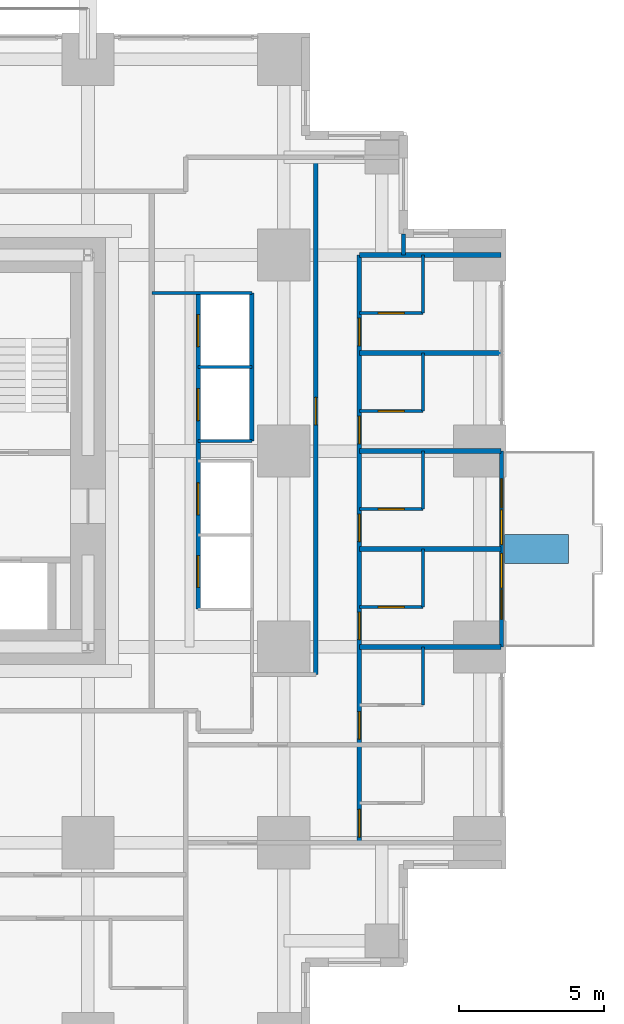
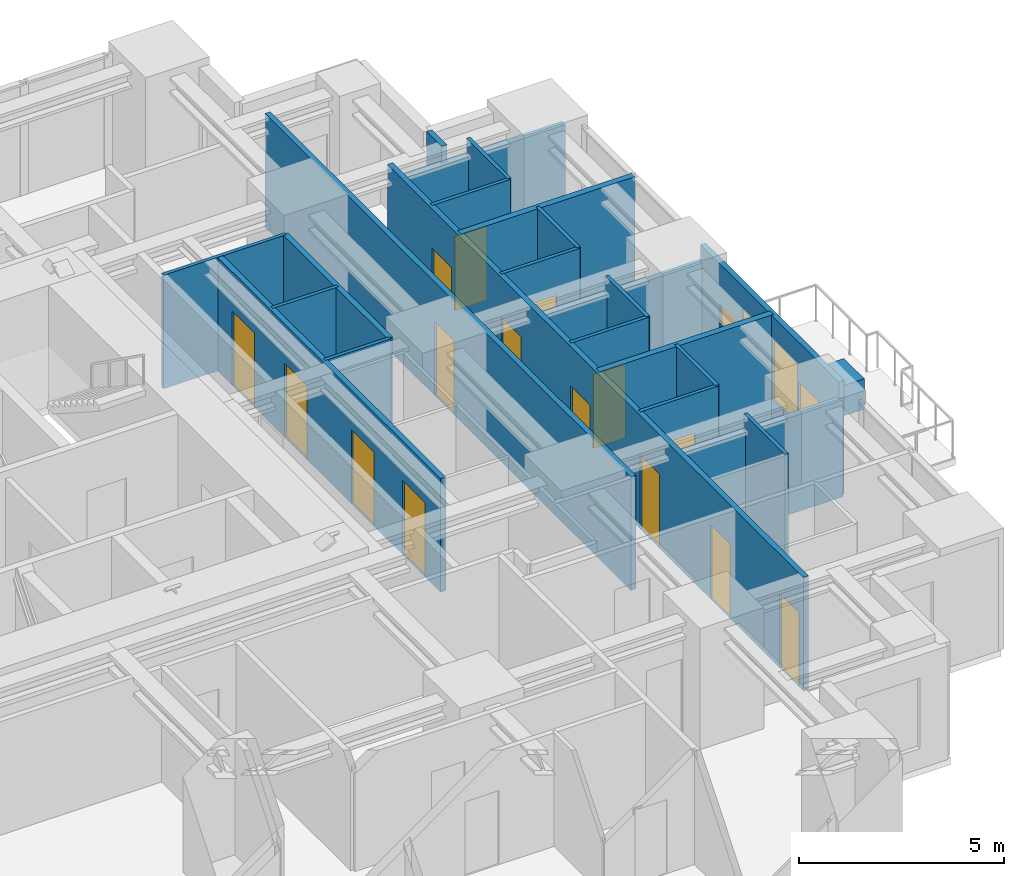
# One storey, part 10 of 13: 24 walls, 17 doors, 2 windows, 19 openings.
"""IFC4 building model written with IfcOpenShell, lengths in metres."""

from ifc_helpers import new_model, si_unit, direction, frame, frame_2d, origin, place, context, subcontext, project, spatial, rectangle, extrude, material, layer, layer_set, type_object, element, fill, save


model = new_model("IFC4")

# Units and contexts
model_context = context("Model", 3, precision=1e-05, world=origin(), true_north=direction((0.0, 1.0)))
body_context = subcontext(model_context, "Body", "Model", "MODEL_VIEW")
ifc_project = project(units=[si_unit("LENGTHUNIT", "METRE"), si_unit("AREAUNIT", "SQUARE_METRE"), si_unit("VOLUMEUNIT", "CUBIC_METRE"), si_unit("PLANEANGLEUNIT", "RADIAN"), si_unit("MASSUNIT", "GRAM", prefix="KILO")], contexts=[model_context])

# Site, building, storey
site_placement = place(None, origin())
site = spatial("IfcSite", under=ifc_project, at=site_placement, CompositionType="ELEMENT")
building_placement = place(site_placement, origin())
building = spatial("IfcBuilding", under=site, at=building_placement, Name="Nyansa Garden Tower", CompositionType="ELEMENT")
storey_placement = place(building_placement, frame((0.0, 0.0, 94.5)))
storey = spatial("IfcBuildingStorey", under=building, at=storey_placement, Name="L25", CompositionType="ELEMENT", Elevation=94.5)

# Walls
ifc_material_1 = material(Name="Dense blockwork, plastered both sides, 55 dB", Category="masonry")
ifc_layer_1 = layer(ifc_material_1, 0.175048828125)
ifc_layer_set_1 = layer_set([ifc_layer_1], Name="Acoustic party wall PW175")
wall_type_1 = type_object("IfcWallType", Name="Acoustic party wall PW175", PredefinedType="PARTITIONING", material=ifc_layer_set_1)
wall_1_placement = place(storey_placement, frame((36.35009765625, 13.5, 0.0), z_axis=(0.0, 0.0, 1.0), x_axis=(1.0, 0.0, 0.0)))
element("IfcWall", 1, at=wall_1_placement, inside=storey, type_object=wall_type_1, Name="Party wall", PredefinedType="PARTITIONING", context=body_context, shape_type="SweptSolid", body=[
    extrude(rectangle(XDim=4.8837890625, YDim=0.175048828125, at=frame_2d((2.44189453125, 0.0))), origin(), (0.0, 0.0, 1.0), 2.876953125),
])
wall_2_placement = place(storey_placement, frame((36.35009765625, 16.875, 0.0), z_axis=(0.0, 0.0, 1.0), x_axis=(1.0, 0.0, 0.0)))
element("IfcWall", 2, at=wall_2_placement, inside=storey, type_object=wall_type_1, Name="Party wall", PredefinedType="PARTITIONING", context=body_context, shape_type="SweptSolid", body=[
    extrude(rectangle(XDim=4.8837890625, YDim=0.175048828125, at=frame_2d((2.44189453125, 0.0))), origin(), (0.0, 0.0, 1.0), 3.375),
])
wall_3_placement = place(storey_placement, frame((36.35009765625, 20.25, 0.0), z_axis=(0.0, 0.0, 1.0), x_axis=(1.0, 0.0, 0.0)))
element("IfcWall", 3, at=wall_3_placement, inside=storey, type_object=wall_type_1, Name="Party wall", PredefinedType="PARTITIONING", context=body_context, shape_type="SweptSolid", body=[
    extrude(rectangle(XDim=4.8837890625, YDim=0.175048828125, at=frame_2d((2.44189453125, 0.0))), origin(), (0.0, 0.0, 1.0), 2.876953125),
])
wall_4_placement = place(storey_placement, frame((36.35009765625, 23.625, 0.0), z_axis=(0.0, 0.0, 1.0), x_axis=(1.0, 0.0, 0.0)))
element("IfcWall", 4, at=wall_4_placement, inside=storey, type_object=wall_type_1, Name="Party wall", PredefinedType="PARTITIONING", context=body_context, shape_type="SweptSolid", body=[
    extrude(rectangle(XDim=4.8837890625, YDim=0.175048828125, at=frame_2d((2.44189453125, 0.0))), origin(), (0.0, 0.0, 1.0), 3.375),
])
wall_5_placement = place(storey_placement, frame((36.35009765625, 27.0, 0.0), z_axis=(0.0, 0.0, 1.0), x_axis=(1.0, 0.0, 0.0)))
element("IfcWall", 5, at=wall_5_placement, inside=storey, type_object=wall_type_1, Name="Party wall", PredefinedType="PARTITIONING", context=body_context, shape_type="SweptSolid", body=[
    extrude(rectangle(XDim=4.8837890625, YDim=0.175048828125, at=frame_2d((2.44189453125, 0.0))), origin(), (0.0, 0.0, 1.0), 2.876953125),
])

# Wall, openings, doors, windows
ifc_material_2 = material(Name="Black aluminium framed glazed screen", Category="aluminium")
ifc_layer_2 = layer(ifc_material_2, 0.14990234375)
ifc_layer_set_2 = layer_set([ifc_layer_2], Name="Balcony screen wall BW150")
wall_type_2 = type_object("IfcWallType", Name="Balcony screen wall BW150", PredefinedType="SOLIDWALL", material=ifc_layer_set_2)
wall_6_placement = place(storey_placement, frame((41.25, 20.25, 0.0), z_axis=(0.0, 0.0, 1.0), x_axis=(0.0, -1.0, 0.0)))
wall_6 = element("IfcWall", 6, at=wall_6_placement, inside=storey, type_object=wall_type_2, Name="Glazed screen wall L25 E", PredefinedType="SOLIDWALL", context=body_context, shape_type="SweptSolid", body=[
    extrude(rectangle(XDim=6.75, YDim=0.14990234375, at=frame_2d((3.375, 0.0))), origin(), (0.0, 0.0, 1.0), 3.375),
])
opening_1_placement = place(wall_6_placement, frame((0.96240234375, 0.0, 0.0)))
opening_1 = element("IfcOpeningElement", 7, at=opening_1_placement, cuts=wall_6, Name="Opening D20", PredefinedType="OPENING", context=body_context, shape_type="SweptSolid", body=[
    extrude(rectangle(XDim=1.0, YDim=2.199951171875, at=frame_2d((0.5, 1.10009765625))), frame((0.0, 0.0849609375, 0.0), z_axis=(0.0, -1.0, 0.0), x_axis=(1.0, 0.0, 0.0)), (0.0, 0.0, 1.0), 0.169921875),
])
opening_2_placement = place(wall_6_placement, frame((2.02490234375, 0.0, 0.89990234375)))
opening_2 = element("IfcOpeningElement", 8, at=opening_2_placement, cuts=wall_6, Name="Opening W6", PredefinedType="OPENING", context=body_context, shape_type="SweptSolid", body=[
    extrude(rectangle(XDim=1.199951171875, YDim=1.800048828125, at=frame_2d((0.60009765625, 0.89990234375))), frame((0.0, 0.0849609375, 0.0), z_axis=(0.0, -1.0, 0.0), x_axis=(1.0, 0.0, 0.0)), (0.0, 0.0, 1.0), 0.169921875),
])
opening_3_placement = place(wall_6_placement, frame((4.78759765625, 0.0, 0.0)))
opening_3 = element("IfcOpeningElement", 9, at=opening_3_placement, cuts=wall_6, Name="Opening D20", PredefinedType="OPENING", context=body_context, shape_type="SweptSolid", body=[
    extrude(rectangle(XDim=1.0, YDim=2.199951171875, at=frame_2d((0.5, 1.10009765625))), frame((0.0, 0.0849609375, 0.0), z_axis=(0.0, -1.0, 0.0), x_axis=(1.0, 0.0, 0.0)), (0.0, 0.0, 1.0), 0.169921875),
])
opening_4_placement = place(wall_6_placement, frame((3.52490234375, 0.0, 0.89990234375)))
opening_4 = element("IfcOpeningElement", 10, at=opening_4_placement, cuts=wall_6, Name="Opening W6", PredefinedType="OPENING", context=body_context, shape_type="SweptSolid", body=[
    extrude(rectangle(XDim=1.199951171875, YDim=1.800048828125, at=frame_2d((0.60009765625, 0.89990234375))), frame((0.0, 0.0849609375, 0.0), z_axis=(0.0, -1.0, 0.0), x_axis=(1.0, 0.0, 0.0)), (0.0, 0.0, 1.0), 0.169921875),
])
ifc_material_3 = material(Name="Black aluminium framed glazed door", Category="aluminium")
door_type_1 = type_object("IfcDoorType", Name="Balcony door D20 1000x2200", OperationType="NOTDEFINED", PredefinedType="DOOR", material=ifc_material_3)
door_1_placement = place(opening_1_placement, origin())
door_1 = element("IfcDoor", 11, at=door_1_placement, inside=storey, type_object=door_type_1, Name="Balcony door L25", OperationType="SINGLE_SWING_LEFT", OverallHeight=2.199951171875, OverallWidth=1.0, PredefinedType="DOOR", context=body_context, shape_type="SweptSolid", body=[
    extrude(rectangle(XDim=1.0, YDim=2.199951171875, at=frame_2d((0.5, 1.10009765625))), frame((0.0, 0.02490234375, 0.0), z_axis=(0.0, -1.0, 0.0), x_axis=(1.0, 0.0, 0.0)), (0.0, 0.0, 1.0), 0.050048828125),
])
fill(opening_1, door_1)
door_2_placement = place(opening_3_placement, origin())
door_2 = element("IfcDoor", 12, at=door_2_placement, inside=storey, type_object=door_type_1, Name="Balcony door L25", OperationType="SINGLE_SWING_RIGHT", OverallHeight=2.199951171875, OverallWidth=1.0, PredefinedType="DOOR", context=body_context, shape_type="SweptSolid", body=[
    extrude(rectangle(XDim=1.0, YDim=2.199951171875, at=frame_2d((0.5, 1.10009765625))), frame((0.0, 0.02490234375, 0.0), z_axis=(0.0, -1.0, 0.0), x_axis=(1.0, 0.0, 0.0)), (0.0, 0.0, 1.0), 0.050048828125),
])
fill(opening_3, door_2)
ifc_material_4 = material(Name="Black aluminium frame, dark tinted double glazing", Category="aluminium")
window_type = type_object("IfcWindowType", Name="Balcony window W6 1200x1800", PartitioningType="SINGLE_PANEL", PredefinedType="WINDOW", material=ifc_material_4)
window_1_placement = place(opening_2_placement, origin())
window_1 = element("IfcWindow", 13, at=window_1_placement, inside=storey, type_object=window_type, Name="Window L25", OverallHeight=1.800048828125, OverallWidth=1.199951171875, PartitioningType="SINGLE_PANEL", PredefinedType="WINDOW", context=body_context, shape_type="SweptSolid", body=[
    extrude(rectangle(XDim=1.199951171875, YDim=1.800048828125, at=frame_2d((0.60009765625, 0.89990234375))), frame((0.0, 0.030029296875, 0.0), z_axis=(0.0, -1.0, 0.0), x_axis=(1.0, 0.0, 0.0)), (0.0, 0.0, 1.0), 0.06005859375),
])
fill(opening_2, window_1)
window_2_placement = place(opening_4_placement, origin())
window_2 = element("IfcWindow", 14, at=window_2_placement, inside=storey, type_object=window_type, Name="Window L25", OverallHeight=1.800048828125, OverallWidth=1.199951171875, PartitioningType="SINGLE_PANEL", PredefinedType="WINDOW", context=body_context, shape_type="SweptSolid", body=[
    extrude(rectangle(XDim=1.199951171875, YDim=1.800048828125, at=frame_2d((0.60009765625, 0.89990234375))), frame((0.0, 0.030029296875, 0.0), z_axis=(0.0, -1.0, 0.0), x_axis=(1.0, 0.0, 0.0)), (0.0, 0.0, 1.0), 0.06005859375),
])
fill(opening_4, window_2)

# Walls
ifc_material_5 = material(Name="Steel-stud shaft wall, two layers fire-rated board, EI 120", Category="steel")
ifc_layer_3 = layer(ifc_material_5, 0.10009765625)
ifc_layer_set_3 = layer_set([ifc_layer_3], Name="Lift shaft wall SW100")
wall_type_3 = type_object("IfcWallType", Name="Lift shaft wall SW100", PredefinedType="SHEAR", material=ifc_layer_set_3)
wall_7_placement = place(storey_placement, frame((29.199951171875, 25.699951171875, 0.0), z_axis=(0.0, 0.0, 1.0), x_axis=(1.0, 0.0, 0.0)))
element("IfcWall", 15, at=wall_7_placement, inside=storey, type_object=wall_type_3, Name="Lift shaft wall", PredefinedType="SHEAR", context=body_context, shape_type="SweptSolid", body=[
    extrude(rectangle(XDim=3.449951171875, YDim=0.10009765625, at=frame_2d((1.72509765625, 0.0))), origin(), (0.0, 0.0, 1.0), 3.375),
])
for number, where, z_axis, x_axis, name in (
    (16, (30.800048828125, 20.60009765625, 0.0), (0.0, 0.0, 1.0), (1.0, 0.0, 0.0), "Lift shaft wall"),
    (17, (30.800048828125, 23.14990234375, 0.0), (0.0, 0.0, 1.0), (1.0, 0.0, 0.0), "Lift shaft wall"),
):
    element("IfcWall", number, at=place(storey_placement, frame(where, z_axis=z_axis, x_axis=x_axis)), inside=storey, type_object=wall_type_3, Name=name, PredefinedType="SHEAR", context=body_context, shape_type="SweptSolid", body=[
        extrude(rectangle(XDim=1.849853515625, YDim=0.10009765625, at=frame_2d((0.9248046875, 0.0))), origin(), (0.0, 0.0, 1.0), 3.375),
    ])

# Wall, openings, doors
ifc_material_6 = material(Name="Blockwork, plastered both sides", Category="masonry")
ifc_layer_4 = layer(ifc_material_6, 0.14990234375)
ifc_layer_set_4 = layer_set([ifc_layer_4], Name="Partition PW150")
wall_type_4 = type_object("IfcWallType", Name="Partition PW150", PredefinedType="PARTITIONING", material=ifc_layer_set_4)
wall_8_placement = place(storey_placement, frame((30.800048828125, 14.800048828125, 0.0), z_axis=(0.0, 0.0, 1.0), x_axis=(0.0, 1.0, 0.0)))
wall_8 = element("IfcWall", 18, at=wall_8_placement, inside=storey, type_object=wall_type_4, Name="Partition", PredefinedType="PARTITIONING", context=body_context, shape_type="SweptSolid", body=[
    extrude(rectangle(XDim=10.89990234375, YDim=0.14990234375, at=frame_2d((5.449951171875, 0.0))), origin(), (0.0, 0.0, 1.0), 3.375),
])
opening_5_placement = place(wall_8_placement, frame((0.75, 0.0, 0.0)))
opening_5 = element("IfcOpeningElement", 19, at=opening_5_placement, cuts=wall_8, Name="Opening LD-A", PredefinedType="OPENING", context=body_context, shape_type="SweptSolid", body=[
    extrude(rectangle(XDim=1.10009765625, YDim=2.199951171875, at=frame_2d((0.550048828125, 1.10009765625))), frame((0.0, 0.0849609375, 0.0), z_axis=(0.0, -1.0, 0.0), x_axis=(1.0, 0.0, 0.0)), (0.0, 0.0, 1.0), 0.169921875),
])
opening_6_placement = place(wall_8_placement, frame((3.25, 0.0, 0.0)))
opening_6 = element("IfcOpeningElement", 20, at=opening_6_placement, cuts=wall_8, Name="Opening LD-A", PredefinedType="OPENING", context=body_context, shape_type="SweptSolid", body=[
    extrude(rectangle(XDim=1.10009765625, YDim=2.199951171875, at=frame_2d((0.550048828125, 1.10009765625))), frame((0.0, 0.0849609375, 0.0), z_axis=(0.0, -1.0, 0.0), x_axis=(1.0, 0.0, 0.0)), (0.0, 0.0, 1.0), 0.169921875),
])
opening_7_placement = place(wall_8_placement, frame((6.5, 0.0, 0.0)))
opening_7 = element("IfcOpeningElement", 21, at=opening_7_placement, cuts=wall_8, Name="Opening LD-A", PredefinedType="OPENING", context=body_context, shape_type="SweptSolid", body=[
    extrude(rectangle(XDim=1.10009765625, YDim=2.199951171875, at=frame_2d((0.550048828125, 1.10009765625))), frame((0.0, 0.0849609375, 0.0), z_axis=(0.0, -1.0, 0.0), x_axis=(1.0, 0.0, 0.0)), (0.0, 0.0, 1.0), 0.169921875),
])
opening_8_placement = place(wall_8_placement, frame((9.050048828125, 0.0, 0.0)))
opening_8 = element("IfcOpeningElement", 22, at=opening_8_placement, cuts=wall_8, Name="Opening LD-A", PredefinedType="OPENING", context=body_context, shape_type="SweptSolid", body=[
    extrude(rectangle(XDim=1.10009765625, YDim=2.199951171875, at=frame_2d((0.550048828125, 1.10009765625))), frame((0.0, 0.0849609375, 0.0), z_axis=(0.0, -1.0, 0.0), x_axis=(1.0, 0.0, 0.0)), (0.0, 0.0, 1.0), 0.169921875),
])
ifc_material_7 = material(Name="Stainless steel centre-opening landing door of the low-rise lift, E 120", Category="steel")
door_type_2 = type_object("IfcDoorType", Name="Lift landing door LD-A 1100x2200", OperationType="DOUBLE_DOOR_SLIDING", PredefinedType="DOOR", material=ifc_material_7)
door_3_placement = place(opening_5_placement, origin())
door_3 = element("IfcDoor", 23, at=door_3_placement, inside=storey, type_object=door_type_2, Name="Landing door A1", OperationType="DOUBLE_DOOR_SLIDING", OverallHeight=2.199951171875, OverallWidth=1.10009765625, PredefinedType="DOOR", context=body_context, shape_type="SweptSolid", body=[
    extrude(rectangle(XDim=1.10009765625, YDim=2.199951171875, at=frame_2d((0.550048828125, 1.10009765625))), frame((0.0, 0.02490234375, 0.0), z_axis=(0.0, -1.0, 0.0), x_axis=(1.0, 0.0, 0.0)), (0.0, 0.0, 1.0), 0.050048828125),
])
fill(opening_5, door_3)
door_4_placement = place(opening_6_placement, origin())
door_4 = element("IfcDoor", 24, at=door_4_placement, inside=storey, type_object=door_type_2, Name="Landing door A2", OperationType="DOUBLE_DOOR_SLIDING", OverallHeight=2.199951171875, OverallWidth=1.10009765625, PredefinedType="DOOR", context=body_context, shape_type="SweptSolid", body=[
    extrude(rectangle(XDim=1.10009765625, YDim=2.199951171875, at=frame_2d((0.550048828125, 1.10009765625))), frame((0.0, 0.02490234375, 0.0), z_axis=(0.0, -1.0, 0.0), x_axis=(1.0, 0.0, 0.0)), (0.0, 0.0, 1.0), 0.050048828125),
])
fill(opening_6, door_4)
door_5_placement = place(opening_7_placement, origin())
door_5 = element("IfcDoor", 25, at=door_5_placement, inside=storey, type_object=door_type_2, Name="Landing door A3", OperationType="DOUBLE_DOOR_SLIDING", OverallHeight=2.199951171875, OverallWidth=1.10009765625, PredefinedType="DOOR", context=body_context, shape_type="SweptSolid", body=[
    extrude(rectangle(XDim=1.10009765625, YDim=2.199951171875, at=frame_2d((0.550048828125, 1.10009765625))), frame((0.0, 0.02490234375, 0.0), z_axis=(0.0, -1.0, 0.0), x_axis=(1.0, 0.0, 0.0)), (0.0, 0.0, 1.0), 0.050048828125),
])
fill(opening_7, door_5)
door_6_placement = place(opening_8_placement, origin())
door_6 = element("IfcDoor", 26, at=door_6_placement, inside=storey, type_object=door_type_2, Name="Landing door A4", OperationType="DOUBLE_DOOR_SLIDING", OverallHeight=2.199951171875, OverallWidth=1.10009765625, PredefinedType="DOOR", context=body_context, shape_type="SweptSolid", body=[
    extrude(rectangle(XDim=1.10009765625, YDim=2.199951171875, at=frame_2d((0.550048828125, 1.10009765625))), frame((0.0, 0.02490234375, 0.0), z_axis=(0.0, -1.0, 0.0), x_axis=(1.0, 0.0, 0.0)), (0.0, 0.0, 1.0), 0.050048828125),
])
fill(opening_8, door_6)

# Wall
wall_9_placement = place(storey_placement, frame((32.64990234375, 20.60009765625, 0.0), z_axis=(0.0, 0.0, 1.0), x_axis=(0.0, 1.0, 0.0)))
element("IfcWall", 27, at=wall_9_placement, inside=storey, type_object=wall_type_4, Name="Partition", PredefinedType="PARTITIONING", context=body_context, shape_type="SweptSolid", body=[
    extrude(rectangle(XDim=5.099853515625, YDim=0.14990234375, at=frame_2d((2.5498046875, 0.0))), origin(), (0.0, 0.0, 1.0), 3.375),
])

# Wall, opening, door
wall_10_placement = place(storey_placement, frame((34.85009765625, 12.550048828125, 0.0), z_axis=(0.0, 0.0, 1.0), x_axis=(0.0, 1.0, 0.0)))
wall_10 = element("IfcWall", 28, at=wall_10_placement, inside=storey, type_object=wall_type_4, Name="Partition", PredefinedType="PARTITIONING", context=body_context, shape_type="SweptSolid", body=[
    extrude(rectangle(XDim=17.824951171875, YDim=0.14990234375, at=frame_2d((8.91259765625, 0.0))), origin(), (0.0, 0.0, 1.0), 3.375),
])
opening_9_placement = place(wall_10_placement, frame((8.60009765625, 0.0, 0.0)))
opening_9 = element("IfcOpeningElement", 29, at=opening_9_placement, cuts=wall_10, Name="Opening D01", PredefinedType="OPENING", context=body_context, shape_type="SweptSolid", body=[
    extrude(rectangle(XDim=0.949951171875, YDim=2.199951171875, at=frame_2d((0.47509765625, 1.10009765625))), frame((0.0, 0.0849609375, 0.0), z_axis=(0.0, -1.0, 0.0), x_axis=(1.0, 0.0, 0.0)), (0.0, 0.0, 1.0), 0.169921875),
])
ifc_material_8 = material(Name="Timber flush door, 30 minute fire resisting", Category="wood")
door_type_3 = type_object("IfcDoorType", Name="Bedroom door D01 950x2200", OperationType="SINGLE_SWING_LEFT", PredefinedType="DOOR", material=ifc_material_8)
door_7_placement = place(opening_9_placement, origin())
door_7 = element("IfcDoor", 30, at=door_7_placement, inside=storey, type_object=door_type_3, Name="Door L25-042", OperationType="SINGLE_SWING_LEFT", OverallHeight=2.199951171875, OverallWidth=0.949951171875, PredefinedType="DOOR", context=body_context, shape_type="SweptSolid", body=[
    extrude(rectangle(XDim=0.949951171875, YDim=2.199951171875, at=frame_2d((0.47509765625, 1.10009765625))), frame((0.0, 0.02490234375, 0.0), z_axis=(0.0, -1.0, 0.0), x_axis=(1.0, 0.0, 0.0)), (0.0, 0.0, 1.0), 0.050048828125),
])
fill(opening_9, door_7)

# Wall, openings, doors
wall_11_placement = place(storey_placement, frame((36.35009765625, 6.75, 0.0), z_axis=(0.0, 0.0, 1.0), x_axis=(0.0, 1.0, 0.0)))
wall_11 = element("IfcWall", 31, at=wall_11_placement, inside=storey, type_object=wall_type_4, Name="Partition", PredefinedType="PARTITIONING", context=body_context, shape_type="SweptSolid", body=[
    extrude(rectangle(XDim=20.25, YDim=0.14990234375, at=frame_2d((10.125, 0.0))), origin(), (0.0, 0.0, 1.0), 3.375),
])
opening_10_placement = place(wall_11_placement, frame((0.199951171875, 0.0, 0.0)))
opening_10 = element("IfcOpeningElement", 32, at=opening_10_placement, cuts=wall_11, Name="Opening D01", PredefinedType="OPENING", context=body_context, shape_type="SweptSolid", body=[
    extrude(rectangle(XDim=0.949951171875, YDim=2.199951171875, at=frame_2d((0.47509765625, 1.10009765625))), frame((0.0, 0.0849609375, 0.0), z_axis=(0.0, -1.0, 0.0), x_axis=(1.0, 0.0, 0.0)), (0.0, 0.0, 1.0), 0.169921875),
])
opening_11_placement = place(wall_11_placement, frame((3.574951171875, 0.0, 0.0)))
opening_11 = element("IfcOpeningElement", 33, at=opening_11_placement, cuts=wall_11, Name="Opening D14", PredefinedType="OPENING", context=body_context, shape_type="SweptSolid", body=[
    extrude(rectangle(XDim=0.949951171875, YDim=2.199951171875, at=frame_2d((0.47509765625, 1.10009765625))), frame((0.0, 0.0849609375, 0.0), z_axis=(0.0, -1.0, 0.0), x_axis=(1.0, 0.0, 0.0)), (0.0, 0.0, 1.0), 0.169921875),
])
opening_12_placement = place(wall_11_placement, frame((7.0, 0.0, 0.0)))
opening_12 = element("IfcOpeningElement", 34, at=opening_12_placement, cuts=wall_11, Name="Opening D14", PredefinedType="OPENING", context=body_context, shape_type="SweptSolid", body=[
    extrude(rectangle(XDim=0.949951171875, YDim=2.199951171875, at=frame_2d((0.47509765625, 1.10009765625))), frame((0.0, 0.0849609375, 0.0), z_axis=(0.0, -1.0, 0.0), x_axis=(1.0, 0.0, 0.0)), (0.0, 0.0, 1.0), 0.169921875),
])
opening_13_placement = place(wall_11_placement, frame((10.375, 0.0, 0.0)))
opening_13 = element("IfcOpeningElement", 35, at=opening_13_placement, cuts=wall_11, Name="Opening D14", PredefinedType="OPENING", context=body_context, shape_type="SweptSolid", body=[
    extrude(rectangle(XDim=0.949951171875, YDim=2.199951171875, at=frame_2d((0.47509765625, 1.10009765625))), frame((0.0, 0.0849609375, 0.0), z_axis=(0.0, -1.0, 0.0), x_axis=(1.0, 0.0, 0.0)), (0.0, 0.0, 1.0), 0.169921875),
])
opening_14_placement = place(wall_11_placement, frame((13.75, 0.0, 0.0)))
opening_14 = element("IfcOpeningElement", 36, at=opening_14_placement, cuts=wall_11, Name="Opening D14", PredefinedType="OPENING", context=body_context, shape_type="SweptSolid", body=[
    extrude(rectangle(XDim=0.949951171875, YDim=2.199951171875, at=frame_2d((0.47509765625, 1.10009765625))), frame((0.0, 0.0849609375, 0.0), z_axis=(0.0, -1.0, 0.0), x_axis=(1.0, 0.0, 0.0)), (0.0, 0.0, 1.0), 0.169921875),
])
opening_15_placement = place(wall_11_placement, frame((17.125, 0.0, 0.0)))
opening_15 = element("IfcOpeningElement", 37, at=opening_15_placement, cuts=wall_11, Name="Opening D14", PredefinedType="OPENING", context=body_context, shape_type="SweptSolid", body=[
    extrude(rectangle(XDim=0.949951171875, YDim=2.199951171875, at=frame_2d((0.47509765625, 1.10009765625))), frame((0.0, 0.0849609375, 0.0), z_axis=(0.0, -1.0, 0.0), x_axis=(1.0, 0.0, 0.0)), (0.0, 0.0, 1.0), 0.169921875),
])
door_8_placement = place(opening_10_placement, origin())
door_8 = element("IfcDoor", 38, at=door_8_placement, inside=storey, type_object=door_type_3, Name="Door L25-028", OperationType="SINGLE_SWING_LEFT", OverallHeight=2.199951171875, OverallWidth=0.949951171875, PredefinedType="DOOR", context=body_context, shape_type="SweptSolid", body=[
    extrude(rectangle(XDim=0.949951171875, YDim=2.199951171875, at=frame_2d((0.47509765625, 1.10009765625))), frame((0.0, 0.02490234375, 0.0), z_axis=(0.0, -1.0, 0.0), x_axis=(1.0, 0.0, 0.0)), (0.0, 0.0, 1.0), 0.050048828125),
])
fill(opening_10, door_8)
ifc_material_9 = material(Name="Timber flush door, 60 minute fire resisting, self-closing", Category="wood")
door_type_4 = type_object("IfcDoorType", Name="Studio entrance door D14 950x2200", OperationType="SINGLE_SWING_LEFT", PredefinedType="DOOR", material=ifc_material_9)
door_9_placement = place(opening_11_placement, origin())
door_9 = element("IfcDoor", 39, at=door_9_placement, inside=storey, type_object=door_type_4, Name="Door L25-031", OperationType="SINGLE_SWING_LEFT", OverallHeight=2.199951171875, OverallWidth=0.949951171875, PredefinedType="DOOR", context=body_context, shape_type="SweptSolid", body=[
    extrude(rectangle(XDim=0.949951171875, YDim=2.199951171875, at=frame_2d((0.47509765625, 1.10009765625))), frame((0.0, 0.02490234375, 0.0), z_axis=(0.0, -1.0, 0.0), x_axis=(1.0, 0.0, 0.0)), (0.0, 0.0, 1.0), 0.050048828125),
])
fill(opening_11, door_9)
door_10_placement = place(opening_12_placement, origin())
door_10 = element("IfcDoor", 40, at=door_10_placement, inside=storey, type_object=door_type_4, Name="Door L25-033", OperationType="SINGLE_SWING_LEFT", OverallHeight=2.199951171875, OverallWidth=0.949951171875, PredefinedType="DOOR", context=body_context, shape_type="SweptSolid", body=[
    extrude(rectangle(XDim=0.949951171875, YDim=2.199951171875, at=frame_2d((0.47509765625, 1.10009765625))), frame((0.0, 0.02490234375, 0.0), z_axis=(0.0, -1.0, 0.0), x_axis=(1.0, 0.0, 0.0)), (0.0, 0.0, 1.0), 0.050048828125),
])
fill(opening_12, door_10)
door_11_placement = place(opening_13_placement, origin())
door_11 = element("IfcDoor", 41, at=door_11_placement, inside=storey, type_object=door_type_4, Name="Door L25-035", OperationType="SINGLE_SWING_LEFT", OverallHeight=2.199951171875, OverallWidth=0.949951171875, PredefinedType="DOOR", context=body_context, shape_type="SweptSolid", body=[
    extrude(rectangle(XDim=0.949951171875, YDim=2.199951171875, at=frame_2d((0.47509765625, 1.10009765625))), frame((0.0, 0.02490234375, 0.0), z_axis=(0.0, -1.0, 0.0), x_axis=(1.0, 0.0, 0.0)), (0.0, 0.0, 1.0), 0.050048828125),
])
fill(opening_13, door_11)
door_12_placement = place(opening_14_placement, origin())
door_12 = element("IfcDoor", 42, at=door_12_placement, inside=storey, type_object=door_type_4, Name="Door L25-037", OperationType="SINGLE_SWING_LEFT", OverallHeight=2.199951171875, OverallWidth=0.949951171875, PredefinedType="DOOR", context=body_context, shape_type="SweptSolid", body=[
    extrude(rectangle(XDim=0.949951171875, YDim=2.199951171875, at=frame_2d((0.47509765625, 1.10009765625))), frame((0.0, 0.02490234375, 0.0), z_axis=(0.0, -1.0, 0.0), x_axis=(1.0, 0.0, 0.0)), (0.0, 0.0, 1.0), 0.050048828125),
])
fill(opening_14, door_12)
door_13_placement = place(opening_15_placement, origin())
door_13 = element("IfcDoor", 43, at=door_13_placement, inside=storey, type_object=door_type_4, Name="Door L25-039", OperationType="SINGLE_SWING_LEFT", OverallHeight=2.199951171875, OverallWidth=0.949951171875, PredefinedType="DOOR", context=body_context, shape_type="SweptSolid", body=[
    extrude(rectangle(XDim=0.949951171875, YDim=2.199951171875, at=frame_2d((0.47509765625, 1.10009765625))), frame((0.0, 0.02490234375, 0.0), z_axis=(0.0, -1.0, 0.0), x_axis=(1.0, 0.0, 0.0)), (0.0, 0.0, 1.0), 0.050048828125),
])
fill(opening_15, door_13)

# Walls
wall_12_placement = place(storey_placement, frame((37.875, 27.0, 0.0), z_axis=(0.0, 0.0, 1.0), x_axis=(0.0, 1.0, 0.0)))
element("IfcWall", 44, at=wall_12_placement, inside=storey, type_object=wall_type_4, Name="Partition", PredefinedType="PARTITIONING", context=body_context, shape_type="SweptSolid", body=[
    extrude(rectangle(XDim=0.73388671875, YDim=0.14990234375, at=frame_2d((0.366943359375, 0.0))), origin(), (0.0, 0.0, 1.0), 3.375),
])
ifc_material_10 = material(Name="Concrete C40/50 planter, waterproofed", Category="concrete")
ifc_layer_5 = layer(ifc_material_10, 1.0)
ifc_layer_set_5 = layer_set([ifc_layer_5], Name="Tree planter TP1")
wall_type_5 = type_object("IfcWallType", Name="Tree planter TP1", PredefinedType="USERDEFINED", material=ifc_layer_set_5)
wall_13_placement = place(storey_placement, frame((41.35009765625, 16.875, 0.0), z_axis=(0.0, 0.0, 1.0), x_axis=(1.0, 0.0, 0.0)))
element("IfcWall", 45, at=wall_13_placement, inside=storey, type_object=wall_type_5, Name="Tree planter L25", ObjectType="TREE PLANTER", PredefinedType="USERDEFINED", context=body_context, shape_type="SweptSolid", body=[
    extrude(rectangle(XDim=2.199951171875, YDim=1.0, at=frame_2d((1.10009765625, 0.0))), origin(), (0.0, 0.0, 1.0), 0.89990234375),
])

# Wall, opening, door
ifc_material_11 = material(Name="Moisture resistant board on steel studs, tiled", Category="steel")
ifc_layer_6 = layer(ifc_material_11, 0.10009765625)
ifc_layer_set_6 = layer_set([ifc_layer_6], Name="Wet wall PW100")
wall_type_6 = type_object("IfcWallType", Name="Wet wall PW100", PredefinedType="PARTITIONING", material=ifc_layer_set_6)
wall_14_placement = place(storey_placement, frame((36.35009765625, 14.875, 0.0), z_axis=(0.0, 0.0, 1.0), x_axis=(1.0, 0.0, 0.0)))
wall_14 = element("IfcWall", 46, at=wall_14_placement, inside=storey, type_object=wall_type_6, Name="Wet wall", PredefinedType="PARTITIONING", context=body_context, shape_type="SweptSolid", body=[
    extrude(rectangle(XDim=2.199951171875, YDim=0.10009765625, at=frame_2d((1.10009765625, 0.0))), origin(), (0.0, 0.0, 1.0), 3.375),
])
opening_16_placement = place(wall_14_placement, frame((0.64990234375, 0.0, 0.0)))
opening_16 = element("IfcOpeningElement", 47, at=opening_16_placement, cuts=wall_14, Name="Opening D02", PredefinedType="OPENING", context=body_context, shape_type="SweptSolid", body=[
    extrude(rectangle(XDim=0.89990234375, YDim=2.199951171875, at=frame_2d((0.449951171875, 1.10009765625))), frame((0.0, 0.06005859375, 0.0), z_axis=(0.0, -1.0, 0.0), x_axis=(1.0, 0.0, 0.0)), (0.0, 0.0, 1.0), 0.1201171875),
])
ifc_material_12 = material(Name="Timber flush door", Category="wood")
door_type_5 = type_object("IfcDoorType", Name="En-suite door D02 900x2200", OperationType="SINGLE_SWING_RIGHT", PredefinedType="DOOR", material=ifc_material_12)
door_14_placement = place(opening_16_placement, origin())
door_14 = element("IfcDoor", 48, at=door_14_placement, inside=storey, type_object=door_type_5, Name="Door L25-034", OperationType="SINGLE_SWING_RIGHT", OverallHeight=2.199951171875, OverallWidth=0.89990234375, PredefinedType="DOOR", context=body_context, shape_type="SweptSolid", body=[
    extrude(rectangle(XDim=0.89990234375, YDim=2.199951171875, at=frame_2d((0.449951171875, 1.10009765625))), frame((0.0, 0.02490234375, 0.0), z_axis=(0.0, -1.0, 0.0), x_axis=(1.0, 0.0, 0.0)), (0.0, 0.0, 1.0), 0.050048828125),
])
fill(opening_16, door_14)

wall_15_placement = place(storey_placement, frame((36.35009765625, 18.25, 0.0), z_axis=(0.0, 0.0, 1.0), x_axis=(1.0, 0.0, 0.0)))
wall_15 = element("IfcWall", 49, at=wall_15_placement, inside=storey, type_object=wall_type_6, Name="Wet wall", PredefinedType="PARTITIONING", context=body_context, shape_type="SweptSolid", body=[
    extrude(rectangle(XDim=2.199951171875, YDim=0.10009765625, at=frame_2d((1.10009765625, 0.0))), origin(), (0.0, 0.0, 1.0), 3.375),
])
opening_17_placement = place(wall_15_placement, frame((0.64990234375, 0.0, 0.0)))
opening_17 = element("IfcOpeningElement", 50, at=opening_17_placement, cuts=wall_15, Name="Opening D02", PredefinedType="OPENING", context=body_context, shape_type="SweptSolid", body=[
    extrude(rectangle(XDim=0.89990234375, YDim=2.199951171875, at=frame_2d((0.449951171875, 1.10009765625))), frame((0.0, 0.06005859375, 0.0), z_axis=(0.0, -1.0, 0.0), x_axis=(1.0, 0.0, 0.0)), (0.0, 0.0, 1.0), 0.1201171875),
])
door_15_placement = place(opening_17_placement, origin())
door_15 = element("IfcDoor", 51, at=door_15_placement, inside=storey, type_object=door_type_5, Name="Door L25-036", OperationType="SINGLE_SWING_RIGHT", OverallHeight=2.199951171875, OverallWidth=0.89990234375, PredefinedType="DOOR", context=body_context, shape_type="SweptSolid", body=[
    extrude(rectangle(XDim=0.89990234375, YDim=2.199951171875, at=frame_2d((0.449951171875, 1.10009765625))), frame((0.0, 0.02490234375, 0.0), z_axis=(0.0, -1.0, 0.0), x_axis=(1.0, 0.0, 0.0)), (0.0, 0.0, 1.0), 0.050048828125),
])
fill(opening_17, door_15)

wall_16_placement = place(storey_placement, frame((36.35009765625, 21.625, 0.0), z_axis=(0.0, 0.0, 1.0), x_axis=(1.0, 0.0, 0.0)))
wall_16 = element("IfcWall", 52, at=wall_16_placement, inside=storey, type_object=wall_type_6, Name="Wet wall", PredefinedType="PARTITIONING", context=body_context, shape_type="SweptSolid", body=[
    extrude(rectangle(XDim=2.199951171875, YDim=0.10009765625, at=frame_2d((1.10009765625, 0.0))), origin(), (0.0, 0.0, 1.0), 3.375),
])
opening_18_placement = place(wall_16_placement, frame((0.64990234375, 0.0, 0.0)))
opening_18 = element("IfcOpeningElement", 53, at=opening_18_placement, cuts=wall_16, Name="Opening D02", PredefinedType="OPENING", context=body_context, shape_type="SweptSolid", body=[
    extrude(rectangle(XDim=0.89990234375, YDim=2.199951171875, at=frame_2d((0.449951171875, 1.10009765625))), frame((0.0, 0.06005859375, 0.0), z_axis=(0.0, -1.0, 0.0), x_axis=(1.0, 0.0, 0.0)), (0.0, 0.0, 1.0), 0.1201171875),
])
door_16_placement = place(opening_18_placement, origin())
door_16 = element("IfcDoor", 54, at=door_16_placement, inside=storey, type_object=door_type_5, Name="Door L25-038", OperationType="SINGLE_SWING_RIGHT", OverallHeight=2.199951171875, OverallWidth=0.89990234375, PredefinedType="DOOR", context=body_context, shape_type="SweptSolid", body=[
    extrude(rectangle(XDim=0.89990234375, YDim=2.199951171875, at=frame_2d((0.449951171875, 1.10009765625))), frame((0.0, 0.02490234375, 0.0), z_axis=(0.0, -1.0, 0.0), x_axis=(1.0, 0.0, 0.0)), (0.0, 0.0, 1.0), 0.050048828125),
])
fill(opening_18, door_16)

wall_17_placement = place(storey_placement, frame((36.35009765625, 25.0, 0.0), z_axis=(0.0, 0.0, 1.0), x_axis=(1.0, 0.0, 0.0)))
wall_17 = element("IfcWall", 55, at=wall_17_placement, inside=storey, type_object=wall_type_6, Name="Wet wall", PredefinedType="PARTITIONING", context=body_context, shape_type="SweptSolid", body=[
    extrude(rectangle(XDim=2.199951171875, YDim=0.10009765625, at=frame_2d((1.10009765625, 0.0))), origin(), (0.0, 0.0, 1.0), 3.375),
])
opening_19_placement = place(wall_17_placement, frame((0.64990234375, 0.0, 0.0)))
opening_19 = element("IfcOpeningElement", 56, at=opening_19_placement, cuts=wall_17, Name="Opening D02", PredefinedType="OPENING", context=body_context, shape_type="SweptSolid", body=[
    extrude(rectangle(XDim=0.89990234375, YDim=2.199951171875, at=frame_2d((0.449951171875, 1.10009765625))), frame((0.0, 0.06005859375, 0.0), z_axis=(0.0, -1.0, 0.0), x_axis=(1.0, 0.0, 0.0)), (0.0, 0.0, 1.0), 0.1201171875),
])
door_17_placement = place(opening_19_placement, origin())
door_17 = element("IfcDoor", 57, at=door_17_placement, inside=storey, type_object=door_type_5, Name="Door L25-040", OperationType="SINGLE_SWING_RIGHT", OverallHeight=2.199951171875, OverallWidth=0.89990234375, PredefinedType="DOOR", context=body_context, shape_type="SweptSolid", body=[
    extrude(rectangle(XDim=0.89990234375, YDim=2.199951171875, at=frame_2d((0.449951171875, 1.10009765625))), frame((0.0, 0.02490234375, 0.0), z_axis=(0.0, -1.0, 0.0), x_axis=(1.0, 0.0, 0.0)), (0.0, 0.0, 1.0), 0.050048828125),
])
fill(opening_19, door_17)

# Walls
for number, where, z_axis, x_axis, name in (
    (58, (38.550048828125, 11.5, 0.0), (0.0, 0.0, 1.0), (0.0, 1.0, 0.0), "Wet wall"),
    (59, (38.550048828125, 14.875, 0.0), (0.0, 0.0, 1.0), (0.0, 1.0, 0.0), "Wet wall"),
    (60, (38.550048828125, 18.25, 0.0), (0.0, 0.0, 1.0), (0.0, 1.0, 0.0), "Wet wall"),
    (61, (38.550048828125, 21.625, 0.0), (0.0, 0.0, 1.0), (0.0, 1.0, 0.0), "Wet wall"),
    (62, (38.550048828125, 25.0, 0.0), (0.0, 0.0, 1.0), (0.0, 1.0, 0.0), "Wet wall"),
):
    element("IfcWall", number, at=place(storey_placement, frame(where, z_axis=z_axis, x_axis=x_axis)), inside=storey, type_object=wall_type_6, Name=name, PredefinedType="PARTITIONING", context=body_context, shape_type="SweptSolid", body=[
        extrude(rectangle(XDim=2.0, YDim=0.10009765625, at=frame_2d((1.0, 0.0))), origin(), (0.0, 0.0, 1.0), 3.375),
    ])

save(model, "model.ifc")
